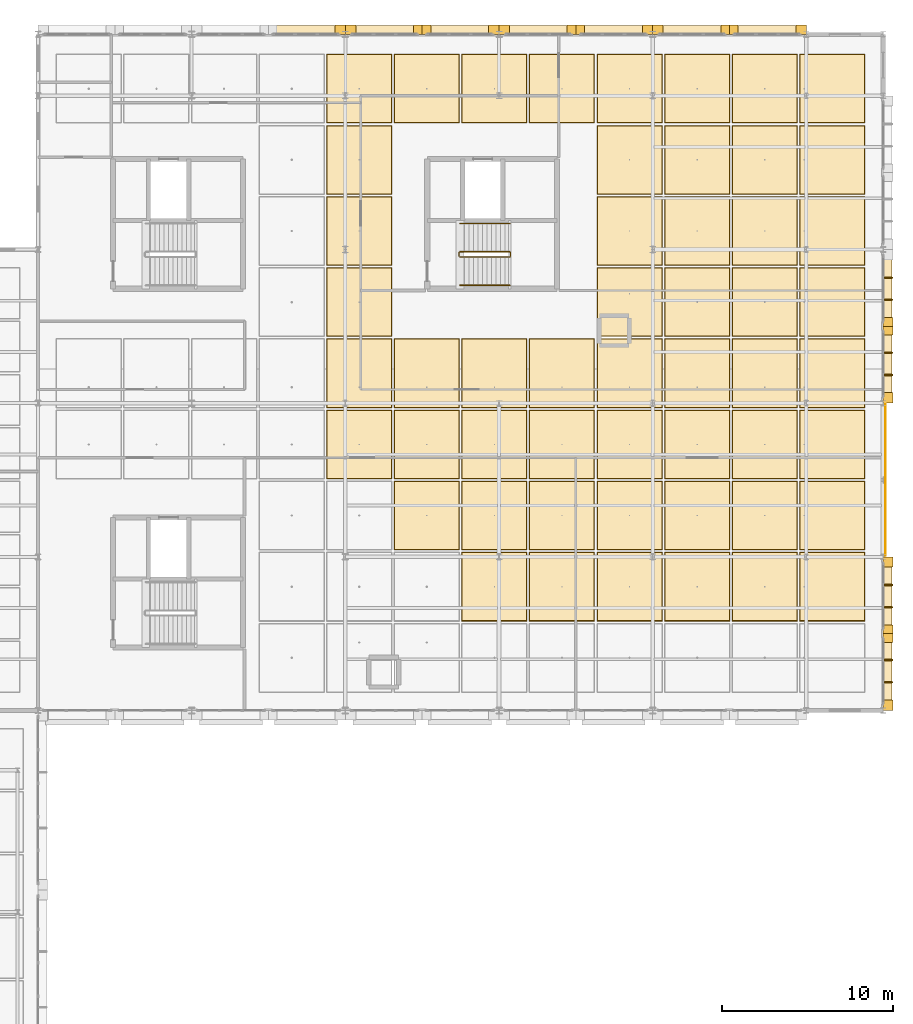
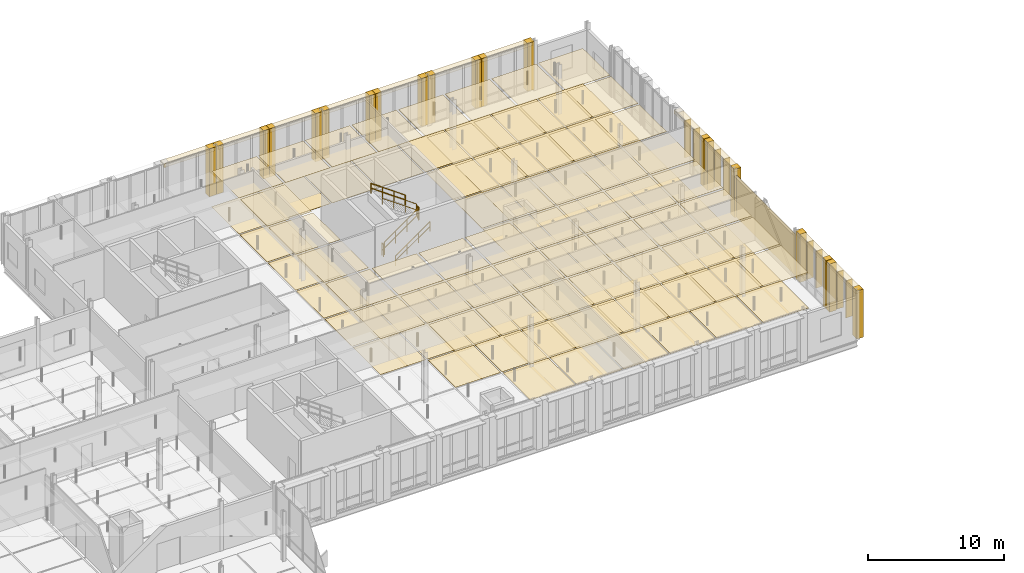
# One storey, part 129 of 130: 136 coverings, 8 shading devices, 6 railings.
"""IFC4 building model written with IfcOpenShell, lengths in metres."""

import ifcopenshell
import ifcopenshell.guid

model = None  # the IFC model being written
_history = None  # IfcOwnerHistory: only IFC2X3 demands one
_inside = {}  # id of a spatial element -> (the spatial element, [elements in it])
_under = {}  # id of a project, library or spatial element -> (it, [spatial elements below it])
_declared = {}  # id of a project -> (the project, [libraries it declares])
_typed = {}  # id of a type object -> (the type object, [elements of that type])
_made_of = {}  # id of a material, layer set ... -> (it, [elements and type objects made of it])


def new_model(schema):
    """Start an empty IFC model of exactly this schema.

    Asked for "IFC4X3", IfcOpenShell would pick the latest addendum, in which some entities
    have other attributes; the version numbers below select the first issue.
    IFC2X3 requires an IfcOwnerHistory on every rooted entity: one is made here for all.
    """
    global model, _history
    if schema == "IFC4X3":
        model = ifcopenshell.file(schema_version=(4, 3, 0, 0))
    else:
        model = ifcopenshell.file(schema=schema)
    _inside.clear()
    _under.clear()
    _declared.clear()
    _typed.clear()
    _made_of.clear()
    _history = None
    if model.schema == "IFC2X3":
        org = make("IfcOrganization", Name="unknown")
        user = make(
            "IfcPersonAndOrganization",
            ThePerson=make("IfcPerson", FamilyName="unknown"),
            TheOrganization=org,
        )
        app = make(
            "IfcApplication",
            ApplicationDeveloper=org,
            Version="unknown",
            ApplicationFullName="unknown",
            ApplicationIdentifier="unknown",
        )
        _history = make(
            "IfcOwnerHistory",
            OwningUser=user,
            OwningApplication=app,
            ChangeAction="ADDED",
            CreationDate=0,
        )
    return model


def make(cls, **values):
    """One entity of the class cls with the attributes given. An attribute that is None is left unset."""
    return model.create_entity(
        cls, **{name: value for name, value in values.items() if value is not None}
    )


def rooted(cls, **values):
    """An entity with a GlobalId (a new one), such as an element, a storey or a relation."""
    return make(cls, GlobalId=ifcopenshell.guid.new(), OwnerHistory=_history, **values)


def si_unit(unit_type, name, prefix=None):
    """IfcSIUnit, for example si_unit("LENGTHUNIT", "METRE", prefix="MILLI")."""
    return make("IfcSIUnit", UnitType=unit_type, Prefix=prefix, Name=name)


def assignment(units):
    """IfcUnitAssignment: the units of a project."""
    return None if units is None else make("IfcUnitAssignment", Units=units)


def point(xyz):
    """IfcCartesianPoint."""
    return None if xyz is None else make("IfcCartesianPoint", Coordinates=xyz)


def direction(xyz):
    """IfcDirection."""
    return None if xyz is None else make("IfcDirection", DirectionRatios=xyz)


def frame(location, z_axis=None, x_axis=None):
    """IfcAxis2Placement3D, a coordinate frame: its origin and axes. An axis left out is left unset."""
    return make(
        "IfcAxis2Placement3D",
        Location=point(location),
        Axis=direction(z_axis),
        RefDirection=direction(x_axis),
    )


def frame_2d(location, x_axis=None):
    """IfcAxis2Placement2D, a coordinate frame in the plane: its origin and x axis."""
    return make(
        "IfcAxis2Placement2D", Location=point(location), RefDirection=direction(x_axis)
    )


def origin():
    """The frame at (0, 0, 0) with its axes left unset."""
    return frame((0.0, 0.0, 0.0))


def origin_2d():
    """The frame at (0, 0) in the plane with its x axis left unset."""
    return frame_2d((0.0, 0.0))


def place(relative_to, where):
    """IfcLocalPlacement: puts the frame where relative to a parent placement (None: the world)."""
    return make(
        "IfcLocalPlacement", PlacementRelTo=relative_to, RelativePlacement=where
    )


def context(
    kind, dimensions, precision=None, world=None, true_north=None, identifier=None
):
    """IfcGeometricRepresentationContext, for example the 3D "Model" context."""
    return make(
        "IfcGeometricRepresentationContext",
        ContextIdentifier=identifier,
        ContextType=kind,
        CoordinateSpaceDimension=dimensions,
        Precision=precision,
        WorldCoordinateSystem=world,
        TrueNorth=true_north,
    )


def subcontext(parent, identifier, kind, view, scale=None):
    """IfcGeometricRepresentationSubContext, for example "Body" below "Model"."""
    return make(
        "IfcGeometricRepresentationSubContext",
        ContextIdentifier=identifier,
        ContextType=kind,
        ParentContext=parent,
        TargetScale=scale,
        TargetView=view,
    )


def project(units=None, contexts=None):
    """IfcProject with its units and contexts."""
    return rooted(
        "IfcProject",
        Name="project",
        RepresentationContexts=contexts,
        UnitsInContext=assignment(units),
    )


def spatial(cls, under=None, at=None, **own):
    """A site, building, storey or space (cls), placed at a placement, below another one or the project."""
    s = rooted(cls, ObjectPlacement=at, **own)
    if under is not None:
        _under.setdefault(under.id(), (under, []))[1].append(s)
    return s


def profile(cls, at=None, kind="AREA", **sizes):
    """A parametric profile (cls). Its sizes go by their IFC names, for example OverallWidth=200.0."""
    return make(cls, ProfileType=kind, Position=at, **sizes)


def rectangle(**sizes):
    """IfcRectangleProfileDef."""
    return profile("IfcRectangleProfileDef", **sizes)


def circle(**sizes):
    """IfcCircleProfileDef."""
    return profile("IfcCircleProfileDef", **sizes)


def extrude(swept, where, along, depth):
    """IfcExtrudedAreaSolid: the profile swept, set in the frame where, extruded along a direction by depth."""
    return make(
        "IfcExtrudedAreaSolid",
        SweptArea=swept,
        Position=where,
        ExtrudedDirection=direction(along),
        Depth=depth,
    )


def shape(context_of_items, identifier, shape_type, items):
    """IfcShapeRepresentation: the items that make up one representation, for example the "Body"."""
    return make(
        "IfcShapeRepresentation",
        ContextOfItems=context_of_items,
        RepresentationIdentifier=identifier,
        RepresentationType=shape_type,
        Items=items,
    )


def material(Name=None, Category=None):
    """IfcMaterial."""
    return make("IfcMaterial", Name=Name, Category=Category)


def layer(
    of_material, thickness, ventilated=None, Name=None, Category=None, Priority=None
):
    """IfcMaterialLayer: one layer of a wall or slab, of a material (None: an air gap)."""
    return make(
        "IfcMaterialLayer",
        Material=of_material,
        LayerThickness=thickness,
        IsVentilated=ventilated,
        Name=Name,
        Category=Category,
        Priority=Priority,
    )


def layer_set(layers, Name=None):
    """IfcMaterialLayerSet."""
    return make("IfcMaterialLayerSet", MaterialLayers=layers, LayerSetName=Name)


def made_of(thing, what):
    """Note that an element or type object is made of a material, layer set ...; save() writes the relation."""
    if what is not None:
        _made_of.setdefault(what.id(), (what, []))[1].append(thing)
    return thing


def type_object(cls, material=None, **own):
    """A type object (cls), such as IfcWallType, which elements share."""
    return made_of(rooted(cls, **own), material)


def element(
    cls,
    number,
    at=None,
    inside=None,
    cuts=None,
    type_object=None,
    material=None,
    context=None,
    identifier="Body",
    shape_type=None,
    held_by="IfcProductDefinitionShape",
    body=None,
    shapes=None,
    **own,
):
    """One element of the class cls, such as IfcWall. Its Tag is "e" and its number.

    at: its placement. inside: the storey or other place that contains it. cuts: it is an
    opening in that element (IfcRelVoidsElement). A single representation is given by context,
    identifier, shape_type and body (its items); several are given by shapes. held_by: the class
    of the entity that holds the representations. save() writes the other relations.
    """
    e = rooted(cls, Tag="e%d" % number, ObjectPlacement=at, **own)
    if body is not None:
        shapes = [shape(context, identifier, shape_type, body)]
    if shapes is not None:
        e.Representation = make(held_by, Representations=shapes)
    if inside is not None:
        _inside.setdefault(inside.id(), (inside, []))[1].append(e)
    if cuts is not None:
        rooted(
            "IfcRelVoidsElement", RelatingBuildingElement=cuts, RelatedOpeningElement=e
        )
    if type_object is not None:
        _typed.setdefault(type_object.id(), (type_object, []))[1].append(e)
    return made_of(e, material)


def aggregate(whole, parts):
    """IfcRelAggregates: a whole, such as a stair, and the parts it consists of."""
    return rooted("IfcRelAggregates", RelatingObject=whole, RelatedObjects=parts)


def save(model, path):
    """Write the relations noted so far, then the file.

    IfcRelAggregates (storeys below a building ...), IfcRelContainedInSpatialStructure (elements
    in a storey), IfcRelDefinesByType, IfcRelAssociatesMaterial and IfcRelDeclares: one each for
    every whole, place, type object, material and project.
    """
    for whole, parts in _under.values():
        aggregate(whole, parts)
    for where, things in _inside.values():
        rooted(
            "IfcRelContainedInSpatialStructure",
            RelatedElements=things,
            RelatingStructure=where,
        )
    for kind, things in _typed.values():
        rooted("IfcRelDefinesByType", RelatedObjects=things, RelatingType=kind)
    for what, things in _made_of.values():
        rooted("IfcRelAssociatesMaterial", RelatedObjects=things, RelatingMaterial=what)
    for by, libraries in _declared.values():
        rooted("IfcRelDeclares", RelatingContext=by, RelatedDefinitions=libraries)
    model.write(path)


model = new_model("IFC4")

# Units and contexts
model_context = context("Model", 3, precision=1e-05, world=origin(), true_north=direction((0.0, 1.0)))
body_context = subcontext(model_context, "Body", "Model", "MODEL_VIEW")
ifc_project = project(units=[si_unit("LENGTHUNIT", "METRE"), si_unit("AREAUNIT", "SQUARE_METRE"), si_unit("VOLUMEUNIT", "CUBIC_METRE"), si_unit("PLANEANGLEUNIT", "RADIAN"), si_unit("MASSUNIT", "GRAM", prefix="KILO"), si_unit("THERMODYNAMICTEMPERATUREUNIT", "KELVIN"), si_unit("POWERUNIT", "WATT")], contexts=[model_context])

# Site, building, storey
site_placement = place(None, origin())
site = spatial("IfcSite", under=ifc_project, at=site_placement, CompositionType="ELEMENT")
building_placement = place(site_placement, origin())
building = spatial("IfcBuilding", under=site, at=building_placement, Name="Tallowbark Science Centre", CompositionType="ELEMENT")
storey_placement = place(building_placement, frame((0.0, 0.0, 5.39990234375)))
storey = spatial("IfcBuildingStorey", under=building, at=storey_placement, Name="L01", CompositionType="ELEMENT", Elevation=5.39990234375)

# Coverings
ifc_material_1 = material(Name="Mineral-Fibre Acoustic Ceiling Tile Grid")
ifc_layer_1 = layer(ifc_material_1, 0.01806640625)
ifc_layer_set_1 = layer_set([ifc_layer_1], Name="Mineral-Fibre Acoustic Ceiling Tile Grid")
covering_type_1 = type_object("IfcCoveringType", Name="CLG-ACT-18", PredefinedType="CEILING", material=ifc_layer_set_1)
for number, where, z_axis, x_axis, name in (
    (1, (131.3125, 87.583251953125, 3.191162109375), (0.0, 0.0, 1.0), (1.0, 0.0, 0.0), "Suspended Ceiling L01-708"),
    (2, (131.3125, 91.75, 3.191162109375), (0.0, 0.0, 1.0), (1.0, 0.0, 0.0), "Suspended Ceiling L01-709"),
    (3, (131.3125, 95.916748046875, 3.191162109375), (0.0, 0.0, 1.0), (1.0, 0.0, 0.0), "Suspended Ceiling L01-710"),
    (4, (131.3125, 100.083251953125, 3.191162109375), (0.0, 0.0, 1.0), (1.0, 0.0, 0.0), "Suspended Ceiling L01-711"),
    (5, (131.3125, 104.25, 3.191162109375), (0.0, 0.0, 1.0), (1.0, 0.0, 0.0), "Suspended Ceiling L01-712"),
    (6, (131.3125, 108.416748046875, 3.191162109375), (0.0, 0.0, 1.0), (1.0, 0.0, 0.0), "Suspended Ceiling L01-713"),
    (7, (135.270751953125, 83.416748046875, 3.191162109375), (0.0, 0.0, 1.0), (1.0, 0.0, 0.0), "Suspended Ceiling L01-716"),
    (8, (135.270751953125, 87.583251953125, 3.191162109375), (0.0, 0.0, 1.0), (1.0, 0.0, 0.0), "Suspended Ceiling L01-717"),
    (9, (135.270751953125, 91.75, 3.191162109375), (0.0, 0.0, 1.0), (1.0, 0.0, 0.0), "Suspended Ceiling L01-718"),
    (10, (135.270751953125, 108.416748046875, 3.191162109375), (0.0, 0.0, 1.0), (1.0, 0.0, 0.0), "Suspended Ceiling L01-719"),
    (11, (139.229248046875, 79.25, 3.191162109375), (0.0, 0.0, 1.0), (1.0, 0.0, 0.0), "Suspended Ceiling L01-721"),
    (12, (139.229248046875, 83.416748046875, 3.191162109375), (0.0, 0.0, 1.0), (1.0, 0.0, 0.0), "Suspended Ceiling L01-722"),
    (13, (139.229248046875, 87.583251953125, 3.191162109375), (0.0, 0.0, 1.0), (1.0, 0.0, 0.0), "Suspended Ceiling L01-723"),
    (14, (139.229248046875, 91.75, 3.191162109375), (0.0, 0.0, 1.0), (1.0, 0.0, 0.0), "Suspended Ceiling L01-724"),
    (15, (139.229248046875, 108.416748046875, 3.191162109375), (0.0, 0.0, 1.0), (1.0, 0.0, 0.0), "Suspended Ceiling L01-725"),
    (16, (143.1875, 79.25, 3.191162109375), (0.0, 0.0, 1.0), (1.0, 0.0, 0.0), "Suspended Ceiling L01-727"),
    (17, (143.1875, 83.416748046875, 3.191162109375), (0.0, 0.0, 1.0), (1.0, 0.0, 0.0), "Suspended Ceiling L01-728"),
    (18, (143.1875, 87.583251953125, 3.191162109375), (0.0, 0.0, 1.0), (1.0, 0.0, 0.0), "Suspended Ceiling L01-729"),
    (19, (143.1875, 91.75, 3.191162109375), (0.0, 0.0, 1.0), (1.0, 0.0, 0.0), "Suspended Ceiling L01-730"),
    (20, (143.1875, 108.416748046875, 3.191162109375), (0.0, 0.0, 1.0), (1.0, 0.0, 0.0), "Suspended Ceiling L01-731"),
    (21, (147.145751953125, 79.25, 3.191162109375), (0.0, 0.0, 1.0), (1.0, 0.0, 0.0), "Suspended Ceiling L01-733"),
    (22, (147.145751953125, 83.416748046875, 3.191162109375), (0.0, 0.0, 1.0), (1.0, 0.0, 0.0), "Suspended Ceiling L01-734"),
    (23, (147.145751953125, 87.583251953125, 3.191162109375), (0.0, 0.0, 1.0), (1.0, 0.0, 0.0), "Suspended Ceiling L01-735"),
    (24, (147.145751953125, 91.75, 3.191162109375), (0.0, 0.0, 1.0), (1.0, 0.0, 0.0), "Suspended Ceiling L01-736"),
    (25, (147.145751953125, 95.916748046875, 3.191162109375), (0.0, 0.0, 1.0), (1.0, 0.0, 0.0), "Suspended Ceiling L01-737"),
    (26, (147.145751953125, 100.083251953125, 3.191162109375), (0.0, 0.0, 1.0), (1.0, 0.0, 0.0), "Suspended Ceiling L01-738"),
    (27, (147.145751953125, 104.25, 3.191162109375), (0.0, 0.0, 1.0), (1.0, 0.0, 0.0), "Suspended Ceiling L01-739"),
    (28, (147.145751953125, 108.416748046875, 3.191162109375), (0.0, 0.0, 1.0), (1.0, 0.0, 0.0), "Suspended Ceiling L01-740"),
    (29, (151.104248046875, 79.25, 3.191162109375), (0.0, 0.0, 1.0), (1.0, 0.0, 0.0), "Suspended Ceiling L01-742"),
    (30, (151.104248046875, 83.416748046875, 3.191162109375), (0.0, 0.0, 1.0), (1.0, 0.0, 0.0), "Suspended Ceiling L01-743"),
    (31, (151.104248046875, 87.583251953125, 3.191162109375), (0.0, 0.0, 1.0), (1.0, 0.0, 0.0), "Suspended Ceiling L01-744"),
    (32, (151.104248046875, 91.75, 3.191162109375), (0.0, 0.0, 1.0), (1.0, 0.0, 0.0), "Suspended Ceiling L01-745"),
    (33, (151.104248046875, 95.916748046875, 3.191162109375), (0.0, 0.0, 1.0), (1.0, 0.0, 0.0), "Suspended Ceiling L01-746"),
    (34, (151.104248046875, 100.083251953125, 3.191162109375), (0.0, 0.0, 1.0), (1.0, 0.0, 0.0), "Suspended Ceiling L01-747"),
    (35, (151.104248046875, 104.25, 3.191162109375), (0.0, 0.0, 1.0), (1.0, 0.0, 0.0), "Suspended Ceiling L01-748"),
    (36, (151.104248046875, 108.416748046875, 3.191162109375), (0.0, 0.0, 1.0), (1.0, 0.0, 0.0), "Suspended Ceiling L01-749"),
    (37, (155.0625, 79.25, 3.191162109375), (0.0, 0.0, 1.0), (1.0, 0.0, 0.0), "Suspended Ceiling L01-751"),
    (38, (155.0625, 83.416748046875, 3.191162109375), (0.0, 0.0, 1.0), (1.0, 0.0, 0.0), "Suspended Ceiling L01-752"),
    (39, (155.0625, 87.583251953125, 3.191162109375), (0.0, 0.0, 1.0), (1.0, 0.0, 0.0), "Suspended Ceiling L01-753"),
    (40, (155.0625, 91.75, 3.191162109375), (0.0, 0.0, 1.0), (1.0, 0.0, 0.0), "Suspended Ceiling L01-754"),
    (41, (155.0625, 95.916748046875, 3.191162109375), (0.0, 0.0, 1.0), (1.0, 0.0, 0.0), "Suspended Ceiling L01-755"),
    (42, (155.0625, 100.083251953125, 3.191162109375), (0.0, 0.0, 1.0), (1.0, 0.0, 0.0), "Suspended Ceiling L01-756"),
    (43, (155.0625, 104.25, 3.191162109375), (0.0, 0.0, 1.0), (1.0, 0.0, 0.0), "Suspended Ceiling L01-757"),
    (44, (155.0625, 108.416748046875, 3.191162109375), (0.0, 0.0, 1.0), (1.0, 0.0, 0.0), "Suspended Ceiling L01-758"),
    (45, (159.020751953125, 79.25, 3.191162109375), (0.0, 0.0, 1.0), (1.0, 0.0, 0.0), "Suspended Ceiling L01-760"),
    (46, (159.020751953125, 83.416748046875, 3.191162109375), (0.0, 0.0, 1.0), (1.0, 0.0, 0.0), "Suspended Ceiling L01-761"),
    (47, (159.020751953125, 87.583251953125, 3.191162109375), (0.0, 0.0, 1.0), (1.0, 0.0, 0.0), "Suspended Ceiling L01-762"),
    (48, (159.020751953125, 91.75, 3.191162109375), (0.0, 0.0, 1.0), (1.0, 0.0, 0.0), "Suspended Ceiling L01-763"),
    (49, (159.020751953125, 95.916748046875, 3.191162109375), (0.0, 0.0, 1.0), (1.0, 0.0, 0.0), "Suspended Ceiling L01-764"),
    (50, (159.020751953125, 100.083251953125, 3.191162109375), (0.0, 0.0, 1.0), (1.0, 0.0, 0.0), "Suspended Ceiling L01-765"),
    (51, (159.020751953125, 104.25, 3.191162109375), (0.0, 0.0, 1.0), (1.0, 0.0, 0.0), "Suspended Ceiling L01-766"),
    (52, (159.020751953125, 108.416748046875, 3.191162109375), (0.0, 0.0, 1.0), (1.0, 0.0, 0.0), "Suspended Ceiling L01-767"),
):
    element("IfcCovering", number, at=place(storey_placement, frame(where, z_axis=z_axis, x_axis=x_axis)), inside=storey, type_object=covering_type_1, Name=name, PredefinedType="CEILING", context=body_context, shape_type="SweptSolid", body=[
        extrude(rectangle(XDim=3.7783203125, YDim=3.98681640625, at=origin_2d()), origin(), (0.0, 0.0, 1.0), 0.01806640625),
    ])
ifc_material_2 = material(Name="White Architectural Precast Concrete Grade N40 (40 MPa)", Category="concrete")
ifc_layer_2 = layer(ifc_material_2, 0.1201171875)
ifc_layer_set_2 = layer_set([ifc_layer_2], Name="White Architectural Precast Concrete Grade N40 (40 MPa)")
covering_type_2 = type_object("IfcCoveringType", Name="COV-PRC-CLAD", PredefinedType="CLADDING", material=ifc_layer_set_2)
for number, where, z_axis, x_axis, name in (
    (53, (130.195068359375, 111.8798828125, 0.0), (0.0, 0.0, 1.0), (-1.0, 0.0, 0.0), "Postmodern Deep Precast Pier CW-L01-118-1"),
    (54, (139.195068359375, 111.8798828125, 0.0), (0.0, 0.0, 1.0), (-1.0, 0.0, 0.0), "Postmodern Deep Precast Pier CW-L01-122-1"),
):
    element("IfcCovering", number, at=place(storey_placement, frame(where, z_axis=z_axis, x_axis=x_axis)), inside=storey, type_object=covering_type_2, Name=name, PredefinedType="CLADDING", context=body_context, shape_type="SweptSolid", body=[
        extrude(rectangle(XDim=0.610107421875, YDim=0.56005859375, at=origin_2d()), origin(), (0.0, 0.0, 1.0), 4.320068359375),
    ])
for number, where, z_axis, x_axis, name in (
    (55, (135.2548828125, 111.8798828125, 0.0), (0.0, 0.0, 1.0), (-1.0, 0.0, 0.0), "Postmodern Deep Precast Pier CW-L01-122-2"),
    (56, (134.7451171875, 111.8798828125, 0.0), (0.0, 0.0, 1.0), (-1.0, 0.0, 0.0), "Postmodern Deep Precast Pier CW-L01-123-1"),
):
    element("IfcCovering", number, at=place(storey_placement, frame(where, z_axis=z_axis, x_axis=x_axis)), inside=storey, type_object=covering_type_2, Name=name, PredefinedType="CLADDING", context=body_context, shape_type="SweptSolid", body=[
        extrude(rectangle(XDim=0.510009765625, YDim=0.56005859375, at=origin_2d()), origin(), (0.0, 0.0, 1.0), 4.320068359375),
    ])
for number, where, z_axis, x_axis, name in (
    (57, (130.804931640625, 111.8798828125, 0.0), (0.0, 0.0, 1.0), (-1.0, 0.0, 0.0), "Postmodern Deep Precast Pier CW-L01-123-2"),
    (58, (148.195068359375, 111.8798828125, 0.0), (0.0, 0.0, 1.0), (-1.0, 0.0, 0.0), "Postmodern Deep Precast Pier CW-L01-126-1"),
):
    element("IfcCovering", number, at=place(storey_placement, frame(where, z_axis=z_axis, x_axis=x_axis)), inside=storey, type_object=covering_type_2, Name=name, PredefinedType="CLADDING", context=body_context, shape_type="SweptSolid", body=[
        extrude(rectangle(XDim=0.610107421875, YDim=0.56005859375, at=origin_2d()), origin(), (0.0, 0.0, 1.0), 4.320068359375),
    ])
for number, where, z_axis, x_axis, name in (
    (59, (144.2548828125, 111.8798828125, 0.0), (0.0, 0.0, 1.0), (-1.0, 0.0, 0.0), "Postmodern Deep Precast Pier CW-L01-126-2"),
    (60, (143.7451171875, 111.8798828125, 0.0), (0.0, 0.0, 1.0), (-1.0, 0.0, 0.0), "Postmodern Deep Precast Pier CW-L01-127-1"),
):
    element("IfcCovering", number, at=place(storey_placement, frame(where, z_axis=z_axis, x_axis=x_axis)), inside=storey, type_object=covering_type_2, Name=name, PredefinedType="CLADDING", context=body_context, shape_type="SweptSolid", body=[
        extrude(rectangle(XDim=0.510009765625, YDim=0.56005859375, at=origin_2d()), origin(), (0.0, 0.0, 1.0), 4.320068359375),
    ])
for number, where, z_axis, x_axis, name in (
    (61, (139.804931640625, 111.8798828125, 0.0), (0.0, 0.0, 1.0), (-1.0, 0.0, 0.0), "Postmodern Deep Precast Pier CW-L01-127-2"),
    (62, (157.195068359375, 111.8798828125, 0.0), (0.0, 0.0, 1.0), (-1.0, 0.0, 0.0), "Postmodern Deep Precast Pier CW-L01-130-1"),
):
    element("IfcCovering", number, at=place(storey_placement, frame(where, z_axis=z_axis, x_axis=x_axis)), inside=storey, type_object=covering_type_2, Name=name, PredefinedType="CLADDING", context=body_context, shape_type="SweptSolid", body=[
        extrude(rectangle(XDim=0.610107421875, YDim=0.56005859375, at=origin_2d()), origin(), (0.0, 0.0, 1.0), 4.320068359375),
    ])
for number, where, z_axis, x_axis, name in (
    (63, (153.2548828125, 111.8798828125, 0.0), (0.0, 0.0, 1.0), (-1.0, 0.0, 0.0), "Postmodern Deep Precast Pier CW-L01-130-2"),
    (64, (152.7451171875, 111.8798828125, 0.0), (0.0, 0.0, 1.0), (-1.0, 0.0, 0.0), "Postmodern Deep Precast Pier CW-L01-131-1"),
):
    element("IfcCovering", number, at=place(storey_placement, frame(where, z_axis=z_axis, x_axis=x_axis)), inside=storey, type_object=covering_type_2, Name=name, PredefinedType="CLADDING", context=body_context, shape_type="SweptSolid", body=[
        extrude(rectangle(XDim=0.510009765625, YDim=0.56005859375, at=origin_2d()), origin(), (0.0, 0.0, 1.0), 4.320068359375),
    ])
for number, where, z_axis, x_axis, name in (
    (65, (148.804931640625, 111.8798828125, 0.0), (0.0, 0.0, 1.0), (-1.0, 0.0, 0.0), "Postmodern Deep Precast Pier CW-L01-131-2"),
    (66, (162.280029296875, 72.304931640625, 0.0), (0.0, 0.0, 1.0), (0.0, 1.0, 0.0), "Postmodern Deep Precast Pier CW-L01-132-1"),
):
    element("IfcCovering", number, at=place(storey_placement, frame(where, z_axis=z_axis, x_axis=x_axis)), inside=storey, type_object=covering_type_2, Name=name, PredefinedType="CLADDING", context=body_context, shape_type="SweptSolid", body=[
        extrude(rectangle(XDim=0.610107421875, YDim=0.56005859375, at=origin_2d()), origin(), (0.0, 0.0, 1.0), 4.320068359375),
    ])
for number, where, z_axis, x_axis, name in (
    (67, (162.280029296875, 76.2451171875, 0.0), (0.0, 0.0, 1.0), (0.0, 1.0, 0.0), "Postmodern Deep Precast Pier CW-L01-132-2"),
    (68, (162.280029296875, 76.7548828125, 0.0), (0.0, 0.0, 1.0), (0.0, 1.0, 0.0), "Postmodern Deep Precast Pier CW-L01-133-1"),
):
    element("IfcCovering", number, at=place(storey_placement, frame(where, z_axis=z_axis, x_axis=x_axis)), inside=storey, type_object=covering_type_2, Name=name, PredefinedType="CLADDING", context=body_context, shape_type="SweptSolid", body=[
        extrude(rectangle(XDim=0.510009765625, YDim=0.56005859375, at=origin_2d()), origin(), (0.0, 0.0, 1.0), 4.320068359375),
    ])
for number, where, z_axis, x_axis, name in (
    (69, (162.280029296875, 80.695068359375, 0.0), (0.0, 0.0, 1.0), (0.0, 1.0, 0.0), "Postmodern Deep Precast Pier CW-L01-133-2"),
    (70, (162.280029296875, 90.304931640625, 0.0), (0.0, 0.0, 1.0), (0.0, 1.0, 0.0), "Postmodern Deep Precast Pier CW-L01-134-1"),
):
    element("IfcCovering", number, at=place(storey_placement, frame(where, z_axis=z_axis, x_axis=x_axis)), inside=storey, type_object=covering_type_2, Name=name, PredefinedType="CLADDING", context=body_context, shape_type="SweptSolid", body=[
        extrude(rectangle(XDim=0.610107421875, YDim=0.56005859375, at=origin_2d()), origin(), (0.0, 0.0, 1.0), 4.320068359375),
    ])
for number, where, z_axis, x_axis, name in (
    (71, (162.280029296875, 94.2451171875, 0.0), (0.0, 0.0, 1.0), (0.0, 1.0, 0.0), "Postmodern Deep Precast Pier CW-L01-134-2"),
    (72, (162.280029296875, 94.7548828125, 0.0), (0.0, 0.0, 1.0), (0.0, 1.0, 0.0), "Postmodern Deep Precast Pier CW-L01-135-1"),
):
    element("IfcCovering", number, at=place(storey_placement, frame(where, z_axis=z_axis, x_axis=x_axis)), inside=storey, type_object=covering_type_2, Name=name, PredefinedType="CLADDING", context=body_context, shape_type="SweptSolid", body=[
        extrude(rectangle(XDim=0.510009765625, YDim=0.56005859375, at=origin_2d()), origin(), (0.0, 0.0, 1.0), 4.320068359375),
    ])
ifc_material_3 = material(Name="Vitrified Ochre Terracotta Architectural Rainscreen", Category="masonry")
ifc_layer_3 = layer(ifc_material_3, 0.0380859375)
ifc_layer_set_3 = layer_set([ifc_layer_3], Name="Vitrified Ochre Terracotta Architectural Rainscreen")
covering_type_3 = type_object("IfcCoveringType", Name="COV-TER-CLAD", PredefinedType="CLADDING", material=ifc_layer_set_3)
for number, where, z_axis, x_axis, name in (
    (73, (128.199951171875, 111.860107421875, 3.97021484375), (0.0, 0.0, 1.0), (-1.0, 0.0, 0.0), "Postmodern Terracotta Cornice Band CW-L01-118"),
    (74, (137.199951171875, 111.860107421875, 3.97021484375), (0.0, 0.0, 1.0), (-1.0, 0.0, 0.0), "Postmodern Terracotta Cornice Band CW-L01-122"),
    (75, (132.800048828125, 111.860107421875, 3.97021484375), (0.0, 0.0, 1.0), (-1.0, 0.0, 0.0), "Postmodern Terracotta Cornice Band CW-L01-123"),
    (76, (146.199951171875, 111.860107421875, 3.97021484375), (0.0, 0.0, 1.0), (-1.0, 0.0, 0.0), "Postmodern Terracotta Cornice Band CW-L01-126"),
    (77, (141.800048828125, 111.860107421875, 3.97021484375), (0.0, 0.0, 1.0), (-1.0, 0.0, 0.0), "Postmodern Terracotta Cornice Band CW-L01-127"),
    (78, (155.199951171875, 111.860107421875, 3.97021484375), (0.0, 0.0, 1.0), (-1.0, 0.0, 0.0), "Postmodern Terracotta Cornice Band CW-L01-130"),
    (79, (150.800048828125, 111.860107421875, 3.97021484375), (0.0, 0.0, 1.0), (-1.0, 0.0, 0.0), "Postmodern Terracotta Cornice Band CW-L01-131"),
    (80, (162.260009765625, 74.300048828125, 3.97021484375), (0.0, 0.0, 1.0), (0.0, 1.0, 0.0), "Postmodern Terracotta Cornice Band CW-L01-132"),
    (81, (162.260009765625, 78.699951171875, 3.97021484375), (0.0, 0.0, 1.0), (0.0, 1.0, 0.0), "Postmodern Terracotta Cornice Band CW-L01-133"),
):
    element("IfcCovering", number, at=place(storey_placement, frame(where, z_axis=z_axis, x_axis=x_axis)), inside=storey, type_object=covering_type_3, Name=name, PredefinedType="CLADDING", context=body_context, shape_type="SweptSolid", body=[
        extrude(rectangle(XDim=4.300048828125, YDim=0.52001953125, at=origin_2d()), origin(), (0.0, 0.0, 1.0), 0.340087890625),
    ])
covering_placement = place(storey_placement, frame((162.14404296875, 85.5, 0.050048828125), z_axis=(0.0, 0.0, 1.0), x_axis=(0.0, 1.0, 0.0)))
element("IfcCovering", 82, at=covering_placement, inside=storey, type_object=covering_type_3, Name="Architectural Rainscreen OBS-E-L01-81", PredefinedType="CLADDING", context=body_context, shape_type="SweptSolid", body=[
    extrude(rectangle(XDim=8.8798828125, YDim=0.0380859375, at=origin_2d()), origin(), (0.0, 0.0, 1.0), 3.74609375),
])
for number, where, z_axis, x_axis, name in (
    (83, (162.260009765625, 92.300048828125, 3.97021484375), (0.0, 0.0, 1.0), (0.0, 1.0, 0.0), "Postmodern Terracotta Cornice Band CW-L01-134"),
    (84, (162.260009765625, 96.699951171875, 3.97021484375), (0.0, 0.0, 1.0), (0.0, 1.0, 0.0), "Postmodern Terracotta Cornice Band CW-L01-135"),
):
    element("IfcCovering", number, at=place(storey_placement, frame(where, z_axis=z_axis, x_axis=x_axis)), inside=storey, type_object=covering_type_3, Name=name, PredefinedType="CLADDING", context=body_context, shape_type="SweptSolid", body=[
        extrude(rectangle(XDim=4.300048828125, YDim=0.52001953125, at=origin_2d()), origin(), (0.0, 0.0, 1.0), 0.340087890625),
    ])
ifc_material_4 = material(Name="Engineered Blackbutt Gallery Timber Flooring", Category="wood")
ifc_layer_4 = layer(ifc_material_4, 0.02197265625)
ifc_layer_set_4 = layer_set([ifc_layer_4], Name="Engineered Blackbutt Gallery Timber Flooring")
covering_type_4 = type_object("IfcCoveringType", Name="FLR-TIM-22", PredefinedType="FLOORING", material=ifc_layer_set_4)
for number, where, z_axis, x_axis, name in (
    (85, (131.3125, 87.583251953125, 0.0), (0.0, 0.0, 1.0), (1.0, 0.0, 0.0), "Floor Finish L01-708"),
    (86, (131.3125, 91.75, 0.0), (0.0, 0.0, 1.0), (1.0, 0.0, 0.0), "Floor Finish L01-709"),
    (87, (131.3125, 95.916748046875, 0.0), (0.0, 0.0, 1.0), (1.0, 0.0, 0.0), "Floor Finish L01-710"),
    (88, (131.3125, 100.083251953125, 0.0), (0.0, 0.0, 1.0), (1.0, 0.0, 0.0), "Floor Finish L01-711"),
    (89, (131.3125, 104.25, 0.0), (0.0, 0.0, 1.0), (1.0, 0.0, 0.0), "Floor Finish L01-712"),
    (90, (131.3125, 108.416748046875, 0.0), (0.0, 0.0, 1.0), (1.0, 0.0, 0.0), "Floor Finish L01-713"),
    (91, (135.270751953125, 83.416748046875, 0.0), (0.0, 0.0, 1.0), (1.0, 0.0, 0.0), "Floor Finish L01-716"),
    (92, (135.270751953125, 87.583251953125, 0.0), (0.0, 0.0, 1.0), (1.0, 0.0, 0.0), "Floor Finish L01-717"),
    (93, (135.270751953125, 91.75, 0.0), (0.0, 0.0, 1.0), (1.0, 0.0, 0.0), "Floor Finish L01-718"),
    (94, (135.270751953125, 108.416748046875, 0.0), (0.0, 0.0, 1.0), (1.0, 0.0, 0.0), "Floor Finish L01-719"),
    (95, (139.229248046875, 79.25, 0.0), (0.0, 0.0, 1.0), (1.0, 0.0, 0.0), "Floor Finish L01-721"),
    (96, (139.229248046875, 83.416748046875, 0.0), (0.0, 0.0, 1.0), (1.0, 0.0, 0.0), "Floor Finish L01-722"),
    (97, (139.229248046875, 87.583251953125, 0.0), (0.0, 0.0, 1.0), (1.0, 0.0, 0.0), "Floor Finish L01-723"),
    (98, (139.229248046875, 91.75, 0.0), (0.0, 0.0, 1.0), (1.0, 0.0, 0.0), "Floor Finish L01-724"),
    (99, (139.229248046875, 108.416748046875, 0.0), (0.0, 0.0, 1.0), (1.0, 0.0, 0.0), "Floor Finish L01-725"),
    (100, (143.1875, 79.25, 0.0), (0.0, 0.0, 1.0), (1.0, 0.0, 0.0), "Floor Finish L01-727"),
    (101, (143.1875, 83.416748046875, 0.0), (0.0, 0.0, 1.0), (1.0, 0.0, 0.0), "Floor Finish L01-728"),
    (102, (143.1875, 87.583251953125, 0.0), (0.0, 0.0, 1.0), (1.0, 0.0, 0.0), "Floor Finish L01-729"),
    (103, (143.1875, 91.75, 0.0), (0.0, 0.0, 1.0), (1.0, 0.0, 0.0), "Floor Finish L01-730"),
    (104, (143.1875, 108.416748046875, 0.0), (0.0, 0.0, 1.0), (1.0, 0.0, 0.0), "Floor Finish L01-731"),
    (105, (147.145751953125, 79.25, 0.0), (0.0, 0.0, 1.0), (1.0, 0.0, 0.0), "Floor Finish L01-733"),
    (106, (147.145751953125, 83.416748046875, 0.0), (0.0, 0.0, 1.0), (1.0, 0.0, 0.0), "Floor Finish L01-734"),
    (107, (147.145751953125, 87.583251953125, 0.0), (0.0, 0.0, 1.0), (1.0, 0.0, 0.0), "Floor Finish L01-735"),
    (108, (147.145751953125, 91.75, 0.0), (0.0, 0.0, 1.0), (1.0, 0.0, 0.0), "Floor Finish L01-736"),
    (109, (147.145751953125, 95.916748046875, 0.0), (0.0, 0.0, 1.0), (1.0, 0.0, 0.0), "Floor Finish L01-737"),
    (110, (147.145751953125, 100.083251953125, 0.0), (0.0, 0.0, 1.0), (1.0, 0.0, 0.0), "Floor Finish L01-738"),
    (111, (147.145751953125, 104.25, 0.0), (0.0, 0.0, 1.0), (1.0, 0.0, 0.0), "Floor Finish L01-739"),
    (112, (147.145751953125, 108.416748046875, 0.0), (0.0, 0.0, 1.0), (1.0, 0.0, 0.0), "Floor Finish L01-740"),
    (113, (151.104248046875, 79.25, 0.0), (0.0, 0.0, 1.0), (1.0, 0.0, 0.0), "Floor Finish L01-742"),
    (114, (151.104248046875, 83.416748046875, 0.0), (0.0, 0.0, 1.0), (1.0, 0.0, 0.0), "Floor Finish L01-743"),
    (115, (151.104248046875, 87.583251953125, 0.0), (0.0, 0.0, 1.0), (1.0, 0.0, 0.0), "Floor Finish L01-744"),
    (116, (151.104248046875, 91.75, 0.0), (0.0, 0.0, 1.0), (1.0, 0.0, 0.0), "Floor Finish L01-745"),
    (117, (151.104248046875, 95.916748046875, 0.0), (0.0, 0.0, 1.0), (1.0, 0.0, 0.0), "Floor Finish L01-746"),
    (118, (151.104248046875, 100.083251953125, 0.0), (0.0, 0.0, 1.0), (1.0, 0.0, 0.0), "Floor Finish L01-747"),
    (119, (151.104248046875, 104.25, 0.0), (0.0, 0.0, 1.0), (1.0, 0.0, 0.0), "Floor Finish L01-748"),
    (120, (151.104248046875, 108.416748046875, 0.0), (0.0, 0.0, 1.0), (1.0, 0.0, 0.0), "Floor Finish L01-749"),
    (121, (155.0625, 79.25, 0.0), (0.0, 0.0, 1.0), (1.0, 0.0, 0.0), "Floor Finish L01-751"),
    (122, (155.0625, 83.416748046875, 0.0), (0.0, 0.0, 1.0), (1.0, 0.0, 0.0), "Floor Finish L01-752"),
    (123, (155.0625, 87.583251953125, 0.0), (0.0, 0.0, 1.0), (1.0, 0.0, 0.0), "Floor Finish L01-753"),
    (124, (155.0625, 91.75, 0.0), (0.0, 0.0, 1.0), (1.0, 0.0, 0.0), "Floor Finish L01-754"),
    (125, (155.0625, 95.916748046875, 0.0), (0.0, 0.0, 1.0), (1.0, 0.0, 0.0), "Floor Finish L01-755"),
    (126, (155.0625, 100.083251953125, 0.0), (0.0, 0.0, 1.0), (1.0, 0.0, 0.0), "Floor Finish L01-756"),
    (127, (155.0625, 104.25, 0.0), (0.0, 0.0, 1.0), (1.0, 0.0, 0.0), "Floor Finish L01-757"),
    (128, (155.0625, 108.416748046875, 0.0), (0.0, 0.0, 1.0), (1.0, 0.0, 0.0), "Floor Finish L01-758"),
    (129, (159.020751953125, 79.25, 0.0), (0.0, 0.0, 1.0), (1.0, 0.0, 0.0), "Floor Finish L01-760"),
    (130, (159.020751953125, 83.416748046875, 0.0), (0.0, 0.0, 1.0), (1.0, 0.0, 0.0), "Floor Finish L01-761"),
    (131, (159.020751953125, 87.583251953125, 0.0), (0.0, 0.0, 1.0), (1.0, 0.0, 0.0), "Floor Finish L01-762"),
    (132, (159.020751953125, 91.75, 0.0), (0.0, 0.0, 1.0), (1.0, 0.0, 0.0), "Floor Finish L01-763"),
    (133, (159.020751953125, 95.916748046875, 0.0), (0.0, 0.0, 1.0), (1.0, 0.0, 0.0), "Floor Finish L01-764"),
    (134, (159.020751953125, 100.083251953125, 0.0), (0.0, 0.0, 1.0), (1.0, 0.0, 0.0), "Floor Finish L01-765"),
    (135, (159.020751953125, 104.25, 0.0), (0.0, 0.0, 1.0), (1.0, 0.0, 0.0), "Floor Finish L01-766"),
    (136, (159.020751953125, 108.416748046875, 0.0), (0.0, 0.0, 1.0), (1.0, 0.0, 0.0), "Floor Finish L01-767"),
):
    element("IfcCovering", number, at=place(storey_placement, frame(where, z_axis=z_axis, x_axis=x_axis)), inside=storey, type_object=covering_type_4, Name=name, PredefinedType="FLOORING", context=body_context, shape_type="SweptSolid", body=[
        extrude(rectangle(XDim=3.83837890625, YDim=4.046630859375, at=origin_2d()), origin(), (0.0, 0.0, 1.0), 0.02197265625),
    ])

# Railings
ifc_material_5 = material(Name="Galvanised Painted Steel and Laminated Glass Balustrade", Category="steel")
ifc_layer_5 = layer(ifc_material_5, 0.070068359375)
ifc_layer_set_5 = layer_set([ifc_layer_5], Name="Galvanised Painted Steel and Laminated Glass Balustrade")
railing_type_1 = type_object("IfcRailingType", Name="RLG-BAL-1150", PredefinedType="BALUSTRADE", material=ifc_layer_set_5)
railing_1_placement = place(storey_placement, frame((137.2099609375, 98.56005859375, 0.1875)))
element("IfcRailing", 137, at=railing_1_placement, inside=storey, type_object=railing_type_1, Name="L01 ST-04 stair guard 1", PredefinedType="BALUSTRADE", context=body_context, shape_type="SweptSolid", body=[
    extrude(circle(Radius=0.02392578125, at=origin_2d()), frame((0.0, 0.0, 1.076171875), z_axis=(0.816330724661, 0.0, 0.577584753931), x_axis=(0.0, 1.0, 0.0)), (0.0, 0.0, 1.0), 3.57080078125),
    extrude(circle(Radius=0.02392578125, at=origin_2d()), frame((0.0, 0.0, 0.550048828125), z_axis=(0.816330724661, 0.0, 0.577584753931), x_axis=(0.0, 1.0, 0.0)), (0.0, 0.0, 1.0), 3.57080078125),
    extrude(circle(Radius=0.02099609375, at=origin_2d()), origin(), (0.0, 0.0, 1.0), 1.052001953125),
    extrude(circle(Radius=0.02099609375, at=origin_2d()), frame((0.9716796875, 0.0, 0.6875)), (0.0, 0.0, 1.0), 1.052001953125),
    extrude(circle(Radius=0.02099609375, at=origin_2d()), frame((1.943359375, 0.0, 1.375)), (0.0, 0.0, 1.0), 1.052001953125),
    extrude(circle(Radius=0.02099609375, at=origin_2d()), frame((2.9150390625, 0.0, 2.0625)), (0.0, 0.0, 1.0), 1.052001953125),
])
railing_2_placement = place(storey_placement, frame((140.175048828125, 98.610107421875, 2.25)))
element("IfcRailing", 138, at=railing_2_placement, inside=storey, type_object=railing_type_1, Name="L01 ST-04 stair guard 2", PredefinedType="BALUSTRADE", context=body_context, shape_type="SweptSolid", body=[
    extrude(circle(Radius=0.02392578125, at=origin_2d()), frame((0.0, 0.0, 1.076171875), z_axis=(0.0, 1.0, 0.0), x_axis=(-1.0, 0.0, 0.0)), (0.0, 0.0, 1.0), 0.199951171875),
    extrude(circle(Radius=0.02392578125, at=origin_2d()), frame((0.0, 0.0, 0.550048828125), z_axis=(0.0, 1.0, 0.0), x_axis=(-1.0, 0.0, 0.0)), (0.0, 0.0, 1.0), 0.199951171875),
    extrude(circle(Radius=0.02099609375, at=origin_2d()), origin(), (0.0, 0.0, 1.0), 1.052001953125),
    extrude(circle(Radius=0.02099609375, at=origin_2d()), frame((0.0, 0.199951171875, 0.0)), (0.0, 0.0, 1.0), 1.052001953125),
])
railing_3_placement = place(storey_placement, frame((140.125, 98.860107421875, 2.4375)))
element("IfcRailing", 139, at=railing_3_placement, inside=storey, type_object=railing_type_1, Name="L01 ST-04 stair guard 3", PredefinedType="BALUSTRADE", context=body_context, shape_type="SweptSolid", body=[
    extrude(circle(Radius=0.02392578125, at=origin_2d()), frame((0.0, 0.0, 1.076171875), z_axis=(-0.816330724661, 0.0, 0.577584753931), x_axis=(0.0, -1.0, 0.0)), (0.0, 0.0, 1.0), 3.57080078125),
    extrude(circle(Radius=0.02392578125, at=origin_2d()), frame((0.0, 0.0, 0.550048828125), z_axis=(-0.816330724661, 0.0, 0.577584753931), x_axis=(0.0, -1.0, 0.0)), (0.0, 0.0, 1.0), 3.57080078125),
    extrude(circle(Radius=0.02099609375, at=origin_2d()), origin(), (0.0, 0.0, 1.0), 1.052001953125),
    extrude(circle(Radius=0.02099609375, at=origin_2d()), frame((-0.9716796875, 0.0, 0.6875)), (0.0, 0.0, 1.0), 1.052001953125),
    extrude(circle(Radius=0.02099609375, at=origin_2d()), frame((-1.943359375, 0.0, 1.375)), (0.0, 0.0, 1.0), 1.052001953125),
    extrude(circle(Radius=0.02099609375, at=origin_2d()), frame((-2.9150390625, 0.0, 2.0625)), (0.0, 0.0, 1.0), 1.052001953125),
])
railing_4_placement = place(storey_placement, frame((137.159912109375, 98.610107421875, 0.0)))
element("IfcRailing", 140, at=railing_4_placement, inside=storey, type_object=railing_type_1, Name="L01 ST-04 stair guard 4", PredefinedType="BALUSTRADE", context=body_context, shape_type="SweptSolid", body=[
    extrude(circle(Radius=0.02392578125, at=origin_2d()), frame((0.0, 0.0, 1.076171875), z_axis=(0.0, 1.0, 0.0), x_axis=(-1.0, 0.0, 0.0)), (0.0, 0.0, 1.0), 0.199951171875),
    extrude(circle(Radius=0.02392578125, at=origin_2d()), frame((0.0, 0.0, 0.550048828125), z_axis=(0.0, 1.0, 0.0), x_axis=(-1.0, 0.0, 0.0)), (0.0, 0.0, 1.0), 0.199951171875),
    extrude(circle(Radius=0.02099609375, at=origin_2d()), origin(), (0.0, 0.0, 1.0), 1.052001953125),
    extrude(circle(Radius=0.02099609375, at=origin_2d()), frame((0.0, 0.199951171875, 0.0)), (0.0, 0.0, 1.0), 1.052001953125),
])
ifc_material_6 = material(Name="Brushed Grade 316 Stainless Steel Handrail", Category="steel")
ifc_layer_6 = layer(ifc_material_6, 0.050048828125)
ifc_layer_set_6 = layer_set([ifc_layer_6], Name="Brushed Grade 316 Stainless Steel Handrail")
railing_type_2 = type_object("IfcRailingType", Name="RLG-HDR-950", PredefinedType="HANDRAIL", material=ifc_layer_set_6)
railing_5_placement = place(storey_placement, frame((137.2099609375, 96.89990234375, 0.1875)))
element("IfcRailing", 141, at=railing_5_placement, inside=storey, type_object=railing_type_2, Name="L01 ST-04 stair handrail 1", PredefinedType="HANDRAIL", context=body_context, shape_type="SweptSolid", body=[
    extrude(circle(Radius=0.02392578125, at=origin_2d()), frame((0.0, 0.0, 0.8759765625), z_axis=(0.816330724661, 0.0, 0.577584753931), x_axis=(0.0, 1.0, 0.0)), (0.0, 0.0, 1.0), 3.57080078125),
    extrude(circle(Radius=0.02392578125, at=origin_2d()), frame((0.0, 0.0, 0.449951171875), z_axis=(0.816330724661, 0.0, 0.577584753931), x_axis=(0.0, 1.0, 0.0)), (0.0, 0.0, 1.0), 3.57080078125),
    extrude(circle(Radius=0.02099609375, at=origin_2d()), origin(), (0.0, 0.0, 1.0), 0.851806640625),
    extrude(circle(Radius=0.02099609375, at=origin_2d()), frame((0.9716796875, 0.0, 0.6875)), (0.0, 0.0, 1.0), 0.851806640625),
    extrude(circle(Radius=0.02099609375, at=origin_2d()), frame((1.943359375, 0.0, 1.375)), (0.0, 0.0, 1.0), 0.851806640625),
    extrude(circle(Radius=0.02099609375, at=origin_2d()), frame((2.9150390625, 0.0, 2.0625)), (0.0, 0.0, 1.0), 0.851806640625),
])
railing_6_placement = place(storey_placement, frame((140.125, 100.52001953125, 2.4375)))
element("IfcRailing", 142, at=railing_6_placement, inside=storey, type_object=railing_type_2, Name="L01 ST-04 stair handrail 2", PredefinedType="HANDRAIL", context=body_context, shape_type="SweptSolid", body=[
    extrude(circle(Radius=0.02392578125, at=origin_2d()), frame((0.0, 0.0, 0.8759765625), z_axis=(-0.816330724661, 0.0, 0.577584753931), x_axis=(0.0, -1.0, 0.0)), (0.0, 0.0, 1.0), 3.57080078125),
    extrude(circle(Radius=0.02392578125, at=origin_2d()), frame((0.0, 0.0, 0.449951171875), z_axis=(-0.816330724661, 0.0, 0.577584753931), x_axis=(0.0, -1.0, 0.0)), (0.0, 0.0, 1.0), 3.57080078125),
    extrude(circle(Radius=0.02099609375, at=origin_2d()), origin(), (0.0, 0.0, 1.0), 0.851806640625),
    extrude(circle(Radius=0.02099609375, at=origin_2d()), frame((-0.9716796875, 0.0, 0.6875)), (0.0, 0.0, 1.0), 0.851806640625),
    extrude(circle(Radius=0.02099609375, at=origin_2d()), frame((-1.943359375, 0.0, 1.375)), (0.0, 0.0, 1.0), 0.851806640625),
    extrude(circle(Radius=0.02099609375, at=origin_2d()), frame((-2.9150390625, 0.0, 2.0625)), (0.0, 0.0, 1.0), 0.851806640625),
])

# Shading devices
ifc_material_7 = material(Name="Sandstone-Finished Architectural Aluminium Solar Fin", Category="masonry")
shading_device_type = type_object("IfcShadingDeviceType", Name="SHD-FIN-400", PredefinedType="JALOUSIE", material=ifc_material_7)
for number, where, z_axis, x_axis, name in (
    (143, (162.280029296875, 73.64990234375, 0.92529296875), (0.0, 0.0, 1.0), (0.0, 1.0, 0.0), "Vertical Solar Fin CW-L01-132-1"),
    (144, (162.280029296875, 74.949951171875, 0.92529296875), (0.0, 0.0, 1.0), (0.0, 1.0, 0.0), "Vertical Solar Fin CW-L01-132-2"),
    (145, (162.280029296875, 78.050048828125, 0.92529296875), (0.0, 0.0, 1.0), (0.0, 1.0, 0.0), "Vertical Solar Fin CW-L01-133-1"),
    (146, (162.280029296875, 79.35009765625, 0.92529296875), (0.0, 0.0, 1.0), (0.0, 1.0, 0.0), "Vertical Solar Fin CW-L01-133-2"),
    (147, (162.280029296875, 91.64990234375, 0.92529296875), (0.0, 0.0, 1.0), (0.0, 1.0, 0.0), "Vertical Solar Fin CW-L01-134-1"),
    (148, (162.280029296875, 92.949951171875, 0.92529296875), (0.0, 0.0, 1.0), (0.0, 1.0, 0.0), "Vertical Solar Fin CW-L01-134-2"),
    (149, (162.280029296875, 96.050048828125, 0.92529296875), (0.0, 0.0, 1.0), (0.0, 1.0, 0.0), "Vertical Solar Fin CW-L01-135-1"),
    (150, (162.280029296875, 97.35009765625, 0.92529296875), (0.0, 0.0, 1.0), (0.0, 1.0, 0.0), "Vertical Solar Fin CW-L01-135-2"),
):
    element("IfcShadingDevice", number, at=place(storey_placement, frame(where, z_axis=z_axis, x_axis=x_axis)), inside=storey, type_object=shading_device_type, Name=name, PredefinedType="JALOUSIE", context=body_context, shape_type="SweptSolid", body=[
        extrude(rectangle(XDim=0.074951171875, YDim=0.550048828125, at=origin_2d()), origin(), (0.0, 0.0, 1.0), 3.320068359375),
    ])

save(model, "model.ifc")
